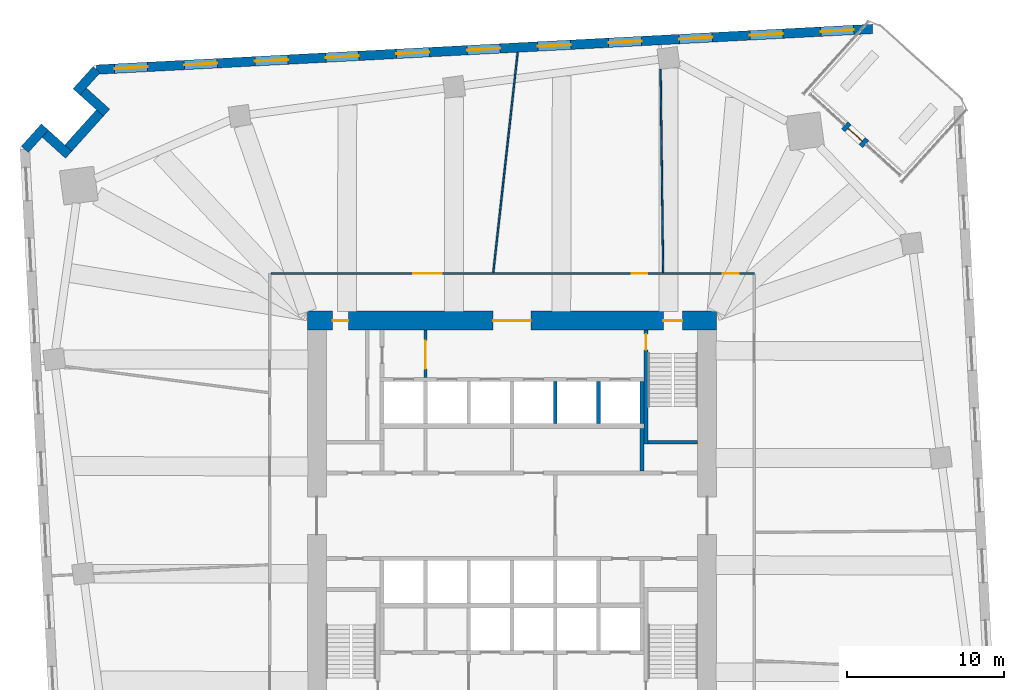
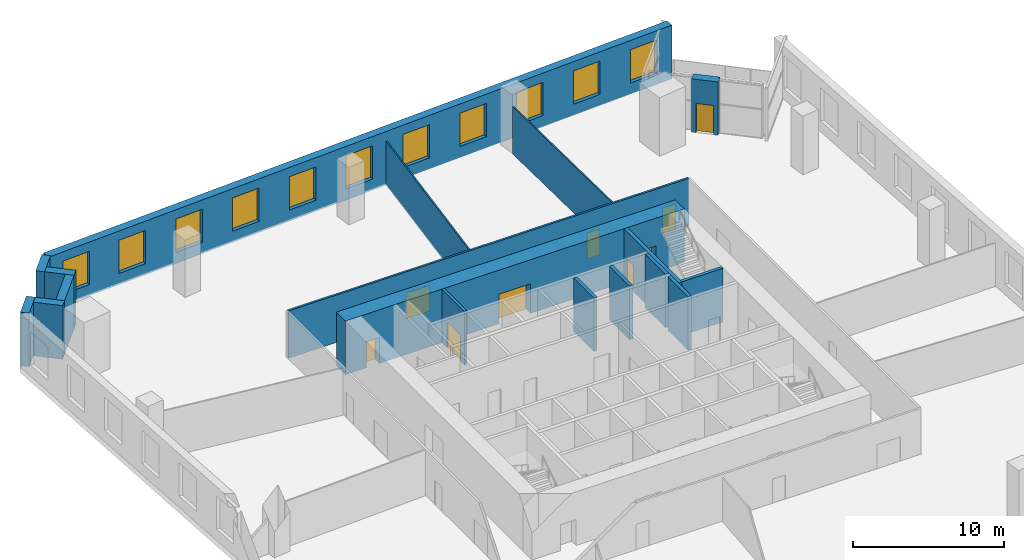
# One storey, part 7 of 10: 18 walls, 11 windows, 9 doors, 20 openings.
"""IFC4 building model written with IfcOpenShell, lengths in metres."""

import ifcopenshell
import ifcopenshell.guid

model = None  # the IFC model being written
_history = None  # IfcOwnerHistory: only IFC2X3 demands one
_inside = {}  # id of a spatial element -> (the spatial element, [elements in it])
_under = {}  # id of a project, library or spatial element -> (it, [spatial elements below it])
_declared = {}  # id of a project -> (the project, [libraries it declares])
_typed = {}  # id of a type object -> (the type object, [elements of that type])
_made_of = {}  # id of a material, layer set ... -> (it, [elements and type objects made of it])


def new_model(schema):
    """Start an empty IFC model of exactly this schema.

    Asked for "IFC4X3", IfcOpenShell would pick the latest addendum, in which some entities
    have other attributes; the version numbers below select the first issue.
    IFC2X3 requires an IfcOwnerHistory on every rooted entity: one is made here for all.
    """
    global model, _history
    if schema == "IFC4X3":
        model = ifcopenshell.file(schema_version=(4, 3, 0, 0))
    else:
        model = ifcopenshell.file(schema=schema)
    _inside.clear()
    _under.clear()
    _declared.clear()
    _typed.clear()
    _made_of.clear()
    _history = None
    if model.schema == "IFC2X3":
        org = make("IfcOrganization", Name="unknown")
        user = make(
            "IfcPersonAndOrganization",
            ThePerson=make("IfcPerson", FamilyName="unknown"),
            TheOrganization=org,
        )
        app = make(
            "IfcApplication",
            ApplicationDeveloper=org,
            Version="unknown",
            ApplicationFullName="unknown",
            ApplicationIdentifier="unknown",
        )
        _history = make(
            "IfcOwnerHistory",
            OwningUser=user,
            OwningApplication=app,
            ChangeAction="ADDED",
            CreationDate=0,
        )
    return model


def make(cls, **values):
    """One entity of the class cls with the attributes given. An attribute that is None is left unset."""
    return model.create_entity(
        cls, **{name: value for name, value in values.items() if value is not None}
    )


def rooted(cls, **values):
    """An entity with a GlobalId (a new one), such as an element, a storey or a relation."""
    return make(cls, GlobalId=ifcopenshell.guid.new(), OwnerHistory=_history, **values)


def si_unit(unit_type, name, prefix=None):
    """IfcSIUnit, for example si_unit("LENGTHUNIT", "METRE", prefix="MILLI")."""
    return make("IfcSIUnit", UnitType=unit_type, Prefix=prefix, Name=name)


def assignment(units):
    """IfcUnitAssignment: the units of a project."""
    return None if units is None else make("IfcUnitAssignment", Units=units)


def point(xyz):
    """IfcCartesianPoint."""
    return None if xyz is None else make("IfcCartesianPoint", Coordinates=xyz)


def direction(xyz):
    """IfcDirection."""
    return None if xyz is None else make("IfcDirection", DirectionRatios=xyz)


def frame(location, z_axis=None, x_axis=None):
    """IfcAxis2Placement3D, a coordinate frame: its origin and axes. An axis left out is left unset."""
    return make(
        "IfcAxis2Placement3D",
        Location=point(location),
        Axis=direction(z_axis),
        RefDirection=direction(x_axis),
    )


def frame_2d(location, x_axis=None):
    """IfcAxis2Placement2D, a coordinate frame in the plane: its origin and x axis."""
    return make(
        "IfcAxis2Placement2D", Location=point(location), RefDirection=direction(x_axis)
    )


def origin():
    """The frame at (0, 0, 0) with its axes left unset."""
    return frame((0.0, 0.0, 0.0))


def place(relative_to, where):
    """IfcLocalPlacement: puts the frame where relative to a parent placement (None: the world)."""
    return make(
        "IfcLocalPlacement", PlacementRelTo=relative_to, RelativePlacement=where
    )


def context(
    kind, dimensions, precision=None, world=None, true_north=None, identifier=None
):
    """IfcGeometricRepresentationContext, for example the 3D "Model" context."""
    return make(
        "IfcGeometricRepresentationContext",
        ContextIdentifier=identifier,
        ContextType=kind,
        CoordinateSpaceDimension=dimensions,
        Precision=precision,
        WorldCoordinateSystem=world,
        TrueNorth=true_north,
    )


def subcontext(parent, identifier, kind, view, scale=None):
    """IfcGeometricRepresentationSubContext, for example "Body" below "Model"."""
    return make(
        "IfcGeometricRepresentationSubContext",
        ContextIdentifier=identifier,
        ContextType=kind,
        ParentContext=parent,
        TargetScale=scale,
        TargetView=view,
    )


def project(units=None, contexts=None):
    """IfcProject with its units and contexts."""
    return rooted(
        "IfcProject",
        Name="project",
        RepresentationContexts=contexts,
        UnitsInContext=assignment(units),
    )


def spatial(cls, under=None, at=None, **own):
    """A site, building, storey or space (cls), placed at a placement, below another one or the project."""
    s = rooted(cls, ObjectPlacement=at, **own)
    if under is not None:
        _under.setdefault(under.id(), (under, []))[1].append(s)
    return s


def profile(cls, at=None, kind="AREA", **sizes):
    """A parametric profile (cls). Its sizes go by their IFC names, for example OverallWidth=200.0."""
    return make(cls, ProfileType=kind, Position=at, **sizes)


def rectangle(**sizes):
    """IfcRectangleProfileDef."""
    return profile("IfcRectangleProfileDef", **sizes)


def extrude(swept, where, along, depth):
    """IfcExtrudedAreaSolid: the profile swept, set in the frame where, extruded along a direction by depth."""
    return make(
        "IfcExtrudedAreaSolid",
        SweptArea=swept,
        Position=where,
        ExtrudedDirection=direction(along),
        Depth=depth,
    )


def shape(context_of_items, identifier, shape_type, items):
    """IfcShapeRepresentation: the items that make up one representation, for example the "Body"."""
    return make(
        "IfcShapeRepresentation",
        ContextOfItems=context_of_items,
        RepresentationIdentifier=identifier,
        RepresentationType=shape_type,
        Items=items,
    )


def material(Name=None, Category=None):
    """IfcMaterial."""
    return make("IfcMaterial", Name=Name, Category=Category)


def layer(
    of_material, thickness, ventilated=None, Name=None, Category=None, Priority=None
):
    """IfcMaterialLayer: one layer of a wall or slab, of a material (None: an air gap)."""
    return make(
        "IfcMaterialLayer",
        Material=of_material,
        LayerThickness=thickness,
        IsVentilated=ventilated,
        Name=Name,
        Category=Category,
        Priority=Priority,
    )


def layer_set(layers, Name=None):
    """IfcMaterialLayerSet."""
    return make("IfcMaterialLayerSet", MaterialLayers=layers, LayerSetName=Name)


def made_of(thing, what):
    """Note that an element or type object is made of a material, layer set ...; save() writes the relation."""
    if what is not None:
        _made_of.setdefault(what.id(), (what, []))[1].append(thing)
    return thing


def type_object(cls, material=None, **own):
    """A type object (cls), such as IfcWallType, which elements share."""
    return made_of(rooted(cls, **own), material)


def element(
    cls,
    number,
    at=None,
    inside=None,
    cuts=None,
    type_object=None,
    material=None,
    context=None,
    identifier="Body",
    shape_type=None,
    held_by="IfcProductDefinitionShape",
    body=None,
    shapes=None,
    **own,
):
    """One element of the class cls, such as IfcWall. Its Tag is "e" and its number.

    at: its placement. inside: the storey or other place that contains it. cuts: it is an
    opening in that element (IfcRelVoidsElement). A single representation is given by context,
    identifier, shape_type and body (its items); several are given by shapes. held_by: the class
    of the entity that holds the representations. save() writes the other relations.
    """
    e = rooted(cls, Tag="e%d" % number, ObjectPlacement=at, **own)
    if body is not None:
        shapes = [shape(context, identifier, shape_type, body)]
    if shapes is not None:
        e.Representation = make(held_by, Representations=shapes)
    if inside is not None:
        _inside.setdefault(inside.id(), (inside, []))[1].append(e)
    if cuts is not None:
        rooted(
            "IfcRelVoidsElement", RelatingBuildingElement=cuts, RelatedOpeningElement=e
        )
    if type_object is not None:
        _typed.setdefault(type_object.id(), (type_object, []))[1].append(e)
    return made_of(e, material)


def fill(opening, filler):
    """IfcRelFillsElement: the door or window that sits in an opening."""
    return rooted(
        "IfcRelFillsElement",
        RelatingOpeningElement=opening,
        RelatedBuildingElement=filler,
    )


def aggregate(whole, parts):
    """IfcRelAggregates: a whole, such as a stair, and the parts it consists of."""
    return rooted("IfcRelAggregates", RelatingObject=whole, RelatedObjects=parts)


def save(model, path):
    """Write the relations noted so far, then the file.

    IfcRelAggregates (storeys below a building ...), IfcRelContainedInSpatialStructure (elements
    in a storey), IfcRelDefinesByType, IfcRelAssociatesMaterial and IfcRelDeclares: one each for
    every whole, place, type object, material and project.
    """
    for whole, parts in _under.values():
        aggregate(whole, parts)
    for where, things in _inside.values():
        rooted(
            "IfcRelContainedInSpatialStructure",
            RelatedElements=things,
            RelatingStructure=where,
        )
    for kind, things in _typed.values():
        rooted("IfcRelDefinesByType", RelatedObjects=things, RelatingType=kind)
    for what, things in _made_of.values():
        rooted("IfcRelAssociatesMaterial", RelatedObjects=things, RelatingMaterial=what)
    for by, libraries in _declared.values():
        rooted("IfcRelDeclares", RelatingContext=by, RelatedDefinitions=libraries)
    model.write(path)


model = new_model("IFC4")

# Units and contexts
model_context = context("Model", 3, precision=1e-05, world=origin(), true_north=direction((0.0, 1.0)))
body_context = subcontext(model_context, "Body", "Model", "MODEL_VIEW")
ifc_project = project(units=[si_unit("LENGTHUNIT", "METRE"), si_unit("AREAUNIT", "SQUARE_METRE"), si_unit("VOLUMEUNIT", "CUBIC_METRE"), si_unit("PLANEANGLEUNIT", "RADIAN"), si_unit("MASSUNIT", "GRAM", prefix="KILO")], contexts=[model_context])

# Site, building, storey
site_placement = place(None, origin())
site = spatial("IfcSite", under=ifc_project, at=site_placement, CompositionType="ELEMENT")
building_placement = place(site_placement, origin())
building = spatial("IfcBuilding", under=site, at=building_placement, Name="Dilmun Exchange Tower", CompositionType="ELEMENT")
storey_placement = place(building_placement, frame((0.0, 0.0, 32.10009765625)))
storey = spatial("IfcBuildingStorey", under=building, at=storey_placement, Name="L07", CompositionType="ELEMENT", Elevation=32.10009765625)

# Wall, opening, door
ifc_material_1 = material(Name="Concrete C40/50", Category="concrete")
ifc_layer_1 = layer(ifc_material_1, 0.199951171875)
ifc_layer_set_1 = layer_set([ifc_layer_1], Name="Concrete C40/50")
wall_type_1 = type_object("IfcWallType", Name="Core partition wall 200", PredefinedType="PARTITIONING", material=ifc_layer_set_1)
wall_1_placement = place(storey_placement, frame((-5.5, 8.804931640625, 0.0), z_axis=(0.0, 0.0, 1.0), x_axis=(0.0, 1.0, 0.0)))
wall_1 = element("IfcWall", 1, at=wall_1_placement, inside=storey, type_object=wall_type_1, Name="L07 core partition wall 19", PredefinedType="PARTITIONING", context=body_context, shape_type="SweptSolid", body=[
    extrude(rectangle(XDim=2.989990234375, YDim=0.199951171875, at=frame_2d((1.4951171875, 0.0))), origin(), (0.0, 0.0, 1.0), 4.349853515625),
])
opening_1_placement = place(wall_1_placement, frame((0.532470703125, 0.0, 0.0)))
opening_1 = element("IfcOpeningElement", 2, at=opening_1_placement, cuts=wall_1, Name="Opening CD5", PredefinedType="OPENING", context=body_context, shape_type="SweptSolid", body=[
    extrude(rectangle(XDim=1.800048828125, YDim=2.10009765625, at=frame_2d((0.89990234375, 1.050048828125))), frame((0.0, 0.10986328125, 0.0), z_axis=(0.0, -1.0, 0.0), x_axis=(1.0, 0.0, 0.0)), (0.0, 0.0, 1.0), 0.219970703125),
])
ifc_material_2 = material(Name="Fire-rated steel door set", Category="steel")
door_type_1 = type_object("IfcDoorType", Name="Stair exit door 1800x2100", OperationType="SINGLE_SWING_LEFT", PredefinedType="DOOR", material=ifc_material_2)
door_1_placement = place(opening_1_placement, origin())
door_1 = element("IfcDoor", 3, at=door_1_placement, inside=storey, type_object=door_type_1, Name="L07 door Lift lobby east", OperationType="SINGLE_SWING_LEFT", OverallHeight=2.10009765625, OverallWidth=1.800048828125, PredefinedType="DOOR", context=body_context, shape_type="SweptSolid", body=[
    extrude(rectangle(XDim=1.800048828125, YDim=2.10009765625, at=frame_2d((0.89990234375, 1.050048828125))), frame((0.0, 0.02490234375, 0.0), z_axis=(0.0, -1.0, 0.0), x_axis=(1.0, 0.0, 0.0)), (0.0, 0.0, 1.0), 0.050048828125),
])
fill(opening_1, door_1)

# Wall
ifc_layer_2 = layer(ifc_material_1, 0.25)
ifc_layer_set_2 = layer_set([ifc_layer_2], Name="Concrete C40/50")
wall_type_2 = type_object("IfcWallType", Name="Core partition wall 250", PredefinedType="PARTITIONING", material=ifc_layer_set_2)
wall_2_placement = place(storey_placement, frame((8.25, 2.85498046875, 0.0), z_axis=(0.0, 0.0, 1.0), x_axis=(0.0, 1.0, 0.0)))
element("IfcWall", 4, at=wall_2_placement, inside=storey, type_object=wall_type_2, Name="L07 core partition wall 14", PredefinedType="PARTITIONING", context=body_context, shape_type="SweptSolid", body=[
    extrude(rectangle(XDim=2.68994140625, YDim=0.25, at=frame_2d((1.344970703125, 0.0))), origin(), (0.0, 0.0, 1.0), 4.349853515625),
])

# Wall, openings, doors
ifc_material_3 = material(Name="Concrete C80/95", Category="concrete")
ifc_layer_3 = layer(ifc_material_3, 1.199951171875)
ifc_layer_set_3 = layer_set([ifc_layer_3], Name="Concrete C80/95")
wall_type_3 = type_object("IfcWallType", Name="Core shear wall 1200 Concrete C80/95", PredefinedType="SHEAR", material=ifc_layer_set_3)
wall_3_placement = place(storey_placement, frame((-13.0, 12.39990234375, 0.0), z_axis=(0.0, 0.0, 1.0), x_axis=(1.0, 0.0, 0.0)))
wall_3 = element("IfcWall", 5, at=wall_3_placement, inside=storey, type_object=wall_type_3, Name="L07 core shear wall N", PredefinedType="SHEAR", context=body_context, shape_type="SweptSolid", body=[
    extrude(rectangle(XDim=26.0, YDim=1.199951171875, at=frame_2d((13.0, 0.0))), origin(), (0.0, 0.0, 1.0), 4.349853515625),
])
opening_2_placement = place(wall_3_placement, frame((11.800048828125, 0.0, 0.0)))
opening_2 = element("IfcOpeningElement", 6, at=opening_2_placement, cuts=wall_3, Name="Opening CD1", PredefinedType="OPENING", context=body_context, shape_type="SweptSolid", body=[
    extrude(rectangle(XDim=2.39990234375, YDim=2.39990234375, at=frame_2d((1.199951171875, 1.199951171875))), frame((0.0, 0.60986328125, 0.0), z_axis=(0.0, -1.0, 0.0), x_axis=(1.0, 0.0, 0.0)), (0.0, 0.0, 1.0), 1.219970703125),
])
opening_3_placement = place(wall_3_placement, frame((22.625, 0.0, 0.0)))
opening_3 = element("IfcOpeningElement", 7, at=opening_3_placement, cuts=wall_3, Name="Opening CD3", PredefinedType="OPENING", context=body_context, shape_type="SweptSolid", body=[
    extrude(rectangle(XDim=1.199951171875, YDim=2.10009765625, at=frame_2d((0.60009765625, 1.050048828125))), frame((0.0, 0.60986328125, 0.0), z_axis=(0.0, -1.0, 0.0), x_axis=(1.0, 0.0, 0.0)), (0.0, 0.0, 1.0), 1.219970703125),
])
opening_4_placement = place(wall_3_placement, frame((1.60009765625, 0.0, 0.0)))
opening_4 = element("IfcOpeningElement", 8, at=opening_4_placement, cuts=wall_3, Name="Opening CD4", PredefinedType="OPENING", context=body_context, shape_type="SweptSolid", body=[
    extrude(rectangle(XDim=1.0, YDim=2.10009765625, at=frame_2d((0.5, 1.050048828125))), frame((0.0, 0.60986328125, 0.0), z_axis=(0.0, -1.0, 0.0), x_axis=(1.0, 0.0, 0.0)), (0.0, 0.0, 1.0), 1.219970703125),
])
door_type_2 = type_object("IfcDoorType", Name="Core lobby door 2400x2400", OperationType="DOUBLE_DOOR_DOUBLE_SWING", PredefinedType="DOOR", material=ifc_material_2)
door_2_placement = place(opening_2_placement, origin())
door_2 = element("IfcDoor", 9, at=door_2_placement, inside=storey, type_object=door_type_2, Name="L07 door North lift lobby", OperationType="SINGLE_SWING_LEFT", OverallHeight=2.39990234375, OverallWidth=2.39990234375, PredefinedType="DOOR", context=body_context, shape_type="SweptSolid", body=[
    extrude(rectangle(XDim=2.39990234375, YDim=2.39990234375, at=frame_2d((1.199951171875, 1.199951171875))), frame((0.0, 0.02490234375, 0.0), z_axis=(0.0, -1.0, 0.0), x_axis=(1.0, 0.0, 0.0)), (0.0, 0.0, 1.0), 0.050048828125),
])
fill(opening_2, door_2)
door_type_3 = type_object("IfcDoorType", Name="Core room door 1000x2100", OperationType="SINGLE_SWING_LEFT", PredefinedType="DOOR", material=ifc_material_2)
door_3_placement = place(opening_4_placement, origin())
door_3 = element("IfcDoor", 10, at=door_3_placement, inside=storey, type_object=door_type_3, Name="L07 door North-west core rooms", OperationType="SINGLE_SWING_LEFT", OverallHeight=2.10009765625, OverallWidth=1.0, PredefinedType="DOOR", context=body_context, shape_type="SweptSolid", body=[
    extrude(rectangle(XDim=1.0, YDim=2.10009765625, at=frame_2d((0.5, 1.050048828125))), frame((0.0, 0.02490234375, 0.0), z_axis=(0.0, -1.0, 0.0), x_axis=(1.0, 0.0, 0.0)), (0.0, 0.0, 1.0), 0.050048828125),
])
fill(opening_4, door_3)
door_type_4 = type_object("IfcDoorType", Name="Stair exit door 1200x2100", OperationType="SINGLE_SWING_LEFT", PredefinedType="DOOR", material=ifc_material_2)
door_4_placement = place(opening_3_placement, origin())
door_4 = element("IfcDoor", 11, at=door_4_placement, inside=storey, type_object=door_type_4, Name="L07 door Stair ST1", OperationType="SINGLE_SWING_LEFT", OverallHeight=2.10009765625, OverallWidth=1.199951171875, PredefinedType="DOOR", context=body_context, shape_type="SweptSolid", body=[
    extrude(rectangle(XDim=1.199951171875, YDim=2.10009765625, at=frame_2d((0.60009765625, 1.050048828125))), frame((0.0, 0.02490234375, 0.0), z_axis=(0.0, -1.0, 0.0), x_axis=(1.0, 0.0, 0.0)), (0.0, 0.0, 1.0), 0.050048828125),
])
fill(opening_3, door_4)

ifc_material_4 = material(Name="Corridor wall 150")
ifc_layer_4 = layer(ifc_material_4, 0.14990234375)
ifc_layer_set_4 = layer_set([ifc_layer_4], Name="Corridor wall 150")
wall_type_4 = type_object("IfcWallType", Name="Corridor wall 150", PredefinedType="PARTITIONING", material=ifc_layer_set_4)
wall_4_placement = place(storey_placement, frame((-15.324951171875, 15.39990234375, 0.0), z_axis=(0.0, 0.0, 1.0), x_axis=(1.0, 0.0, 0.0)))
wall_4 = element("IfcWall", 12, at=wall_4_placement, inside=storey, type_object=wall_type_4, Name="Corridor wall", PredefinedType="PARTITIONING", context=body_context, shape_type="SweptSolid", body=[
    extrude(rectangle(XDim=30.724853515625, YDim=0.14990234375, at=frame_2d((15.3623046875, 0.0))), origin(), (0.0, 0.0, 1.0), 3.849853515625),
])
opening_5_placement = place(wall_4_placement, frame((9.050048828125, 0.0, 0.0)))
opening_5 = element("IfcOpeningElement", 13, at=opening_5_placement, cuts=wall_4, Name="Opening TF05-D05", PredefinedType="OPENING", context=body_context, shape_type="SweptSolid", body=[
    extrude(rectangle(XDim=1.800048828125, YDim=2.10009765625, at=frame_2d((0.89990234375, 1.050048828125))), frame((0.0, 0.0849609375, 0.0), z_axis=(0.0, -1.0, 0.0), x_axis=(1.0, 0.0, 0.0)), (0.0, 0.0, 1.0), 0.169921875),
])
opening_6_placement = place(wall_4_placement, frame((22.92919921875, 0.0, 0.0)))
opening_6 = element("IfcOpeningElement", 14, at=opening_6_placement, cuts=wall_4, Name="Opening TF05-D08", PredefinedType="OPENING", context=body_context, shape_type="SweptSolid", body=[
    extrude(rectangle(XDim=1.0, YDim=2.10009765625, at=frame_2d((0.5, 1.050048828125))), frame((0.0, 0.0849609375, 0.0), z_axis=(0.0, -1.0, 0.0), x_axis=(1.0, 0.0, 0.0)), (0.0, 0.0, 1.0), 0.169921875),
])
opening_7_placement = place(wall_4_placement, frame((28.7294921875, 0.0, 0.0)))
opening_7 = element("IfcOpeningElement", 15, at=opening_7_placement, cuts=wall_4, Name="Opening TF05-D12", PredefinedType="OPENING", context=body_context, shape_type="SweptSolid", body=[
    extrude(rectangle(XDim=1.0, YDim=2.10009765625, at=frame_2d((0.5, 1.050048828125))), frame((0.0, 0.0849609375, 0.0), z_axis=(0.0, -1.0, 0.0), x_axis=(1.0, 0.0, 0.0)), (0.0, 0.0, 1.0), 0.169921875),
])
ifc_material_5 = material(Name="Fire door 1000 x 2100")
door_type_5 = type_object("IfcDoorType", Name="Fire door 1000 x 2100", OperationType="NOTDEFINED", PredefinedType="DOOR", material=ifc_material_5)
door_5_placement = place(opening_6_placement, origin())
door_5 = element("IfcDoor", 16, at=door_5_placement, inside=storey, type_object=door_type_5, Name="Door TF05-D08", OperationType="SINGLE_SWING_RIGHT", OverallHeight=2.10009765625, OverallWidth=1.0, PredefinedType="DOOR", context=body_context, shape_type="SweptSolid", body=[
    extrude(rectangle(XDim=1.0, YDim=2.10009765625, at=frame_2d((0.5, 1.050048828125))), frame((0.0, 0.02490234375, 0.0), z_axis=(0.0, -1.0, 0.0), x_axis=(1.0, 0.0, 0.0)), (0.0, 0.0, 1.0), 0.050048828125),
])
fill(opening_6, door_5)
door_6_placement = place(opening_7_placement, origin())
door_6 = element("IfcDoor", 17, at=door_6_placement, inside=storey, type_object=door_type_5, Name="Door TF05-D12", OperationType="SINGLE_SWING_RIGHT", OverallHeight=2.10009765625, OverallWidth=1.0, PredefinedType="DOOR", context=body_context, shape_type="SweptSolid", body=[
    extrude(rectangle(XDim=1.0, YDim=2.10009765625, at=frame_2d((0.5, 1.050048828125))), frame((0.0, 0.02490234375, 0.0), z_axis=(0.0, -1.0, 0.0), x_axis=(1.0, 0.0, 0.0)), (0.0, 0.0, 1.0), 0.050048828125),
])
fill(opening_7, door_6)
ifc_material_6 = material(Name="Fire door pair 1800 x 2100")
door_type_6 = type_object("IfcDoorType", Name="Fire door pair 1800 x 2100", OperationType="NOTDEFINED", PredefinedType="DOOR", material=ifc_material_6)
door_7_placement = place(opening_5_placement, origin())
door_7 = element("IfcDoor", 18, at=door_7_placement, inside=storey, type_object=door_type_6, Name="Door TF05-D05", OperationType="DOUBLE_DOOR_SINGLE_SWING", OverallHeight=2.10009765625, OverallWidth=1.800048828125, PredefinedType="DOOR", context=body_context, shape_type="SweptSolid", body=[
    extrude(rectangle(XDim=1.800048828125, YDim=2.10009765625, at=frame_2d((0.89990234375, 1.050048828125))), frame((0.0, 0.02490234375, 0.0), z_axis=(0.0, -1.0, 0.0), x_axis=(1.0, 0.0, 0.0)), (0.0, 0.0, 1.0), 0.050048828125),
])
fill(opening_5, door_7)

# Walls
ifc_layer_5 = layer(ifc_material_1, 0.25)
ifc_layer_set_5 = layer_set([ifc_layer_5], Name="Concrete C40/50")
wall_type_5 = type_object("IfcWallType", Name="Lift shaft wall 250", PredefinedType="SOLIDWALL", material=ifc_layer_set_5)
for number, where, z_axis, x_axis, name in (
    (19, (2.75, 5.85009765625, 0.0), (0.0, 0.0, 1.0), (0.0, 1.0, 0.0), "L07 lift shaft divider N24"),
    (20, (5.5, 5.85009765625, 0.0), (0.0, 0.0, 1.0), (0.0, 1.0, 0.0), "L07 lift shaft divider N25"),
    (21, (8.25, 5.85009765625, 0.0), (0.0, 0.0, 1.0), (0.0, 1.0, 0.0), "L07 lift shaft divider N26"),
):
    element("IfcWall", number, at=place(storey_placement, frame(where, z_axis=z_axis, x_axis=x_axis)), inside=storey, type_object=wall_type_5, Name=name, PredefinedType="SOLIDWALL", context=body_context, shape_type="SweptSolid", body=[
        extrude(rectangle(XDim=2.699951171875, YDim=0.25, at=frame_2d((1.35009765625, 0.0))), origin(), (0.0, 0.0, 1.0), 4.349853515625),
    ])
ifc_material_7 = material(Name="Partition 100")
ifc_layer_6 = layer(ifc_material_7, 0.10009765625)
ifc_layer_set_6 = layer_set([ifc_layer_6], Name="Partition 100")
wall_type_6 = type_object("IfcWallType", Name="Partition 100", PredefinedType="PARTITIONING", material=ifc_layer_set_6)
wall_5_placement = place(storey_placement, frame((-1.18701171875, 15.48046875, 0.0), z_axis=(0.0, 0.0, 1.0), x_axis=(0.110071375312, 0.993923685369, 0.0)))
element("IfcWall", 22, at=wall_5_placement, inside=storey, type_object=wall_type_6, Name="Partition", PredefinedType="PARTITIONING", context=body_context, shape_type="SweptSolid", body=[
    extrude(rectangle(XDim=14.062255859375, YDim=0.10009765625, at=frame_2d((7.03125, 0.0))), origin(), (0.0, 0.0, 1.0), 3.5498046875),
])
wall_6_placement = place(storey_placement, frame((9.442138671875, 28.369140625, 0.0), z_axis=(0.0, 0.0, 1.0), x_axis=(0.01255297586, -0.999921208294, 0.0)))
element("IfcWall", 23, at=wall_6_placement, inside=storey, type_object=wall_type_6, Name="Partition", PredefinedType="PARTITIONING", context=body_context, shape_type="SweptSolid", body=[
    extrude(rectangle(XDim=12.89453125, YDim=0.10009765625, at=frame_2d((6.447265625, 0.0))), origin(), (0.0, 0.0, 1.0), 3.849853515625),
])

# Wall, openings, windows
ifc_material_8 = material(Name="Precast concrete C50/60", Category="concrete")
ifc_layer_7 = layer(ifc_material_8, 0.60009765625)
ifc_layer_set_7 = layer_set([ifc_layer_7], Name="Precast concrete C50/60")
wall_type_7 = type_object("IfcWallType", Name="Precast stone-clad wall 600", PredefinedType="STANDARD", material=ifc_layer_set_7)
wall_7_placement = place(storey_placement, frame((22.912109375, 30.94140625, 0.0), z_axis=(0.0, 0.0, 1.0), x_axis=(-0.998629687104, -0.052333049168, 0.0)))
wall_7 = element("IfcWall", 24, at=wall_7_placement, inside=storey, type_object=wall_type_7, Name="Facade wall L07-03", PredefinedType="STANDARD", context=body_context, shape_type="SweptSolid", body=[
    extrude(rectangle(XDim=49.375732421875, YDim=0.60009765625, at=frame_2d((24.68798828125, 0.0))), origin(), (0.0, 0.0, 1.0), 4.349853515625),
])
opening_8_placement = place(wall_7_placement, frame((1.199951171875, 0.0, 0.89990234375)))
opening_8 = element("IfcOpeningElement", 25, at=opening_8_placement, cuts=wall_7, Name="Opening W210-270", PredefinedType="OPENING", context=body_context, shape_type="SweptSolid", body=[
    extrude(rectangle(XDim=2.10009765625, YDim=2.699951171875, at=frame_2d((1.050048828125, 1.35009765625))), frame((0.0, 0.31005859375, 0.0), z_axis=(0.0, -1.0, 0.0), x_axis=(1.0, 0.0, 0.0)), (0.0, 0.0, 1.0), 0.6201171875),
])
opening_9_placement = place(wall_7_placement, frame((5.699951171875, 0.0, 0.89990234375)))
opening_9 = element("IfcOpeningElement", 26, at=opening_9_placement, cuts=wall_7, Name="Opening W210-270", PredefinedType="OPENING", context=body_context, shape_type="SweptSolid", body=[
    extrude(rectangle(XDim=2.10009765625, YDim=2.699951171875, at=frame_2d((1.050048828125, 1.35009765625))), frame((0.0, 0.31005859375, 0.0), z_axis=(0.0, -1.0, 0.0), x_axis=(1.0, 0.0, 0.0)), (0.0, 0.0, 1.0), 0.6201171875),
])
opening_10_placement = place(wall_7_placement, frame((10.199951171875, 0.0, 0.89990234375)))
opening_10 = element("IfcOpeningElement", 27, at=opening_10_placement, cuts=wall_7, Name="Opening W210-270", PredefinedType="OPENING", context=body_context, shape_type="SweptSolid", body=[
    extrude(rectangle(XDim=2.10009765625, YDim=2.699951171875, at=frame_2d((1.050048828125, 1.35009765625))), frame((0.0, 0.31005859375, 0.0), z_axis=(0.0, -1.0, 0.0), x_axis=(1.0, 0.0, 0.0)), (0.0, 0.0, 1.0), 0.6201171875),
])
opening_11_placement = place(wall_7_placement, frame((14.699951171875, 0.0, 0.89990234375)))
opening_11 = element("IfcOpeningElement", 28, at=opening_11_placement, cuts=wall_7, Name="Opening W210-270", PredefinedType="OPENING", context=body_context, shape_type="SweptSolid", body=[
    extrude(rectangle(XDim=2.10009765625, YDim=2.699951171875, at=frame_2d((1.050048828125, 1.35009765625))), frame((0.0, 0.31005859375, 0.0), z_axis=(0.0, -1.0, 0.0), x_axis=(1.0, 0.0, 0.0)), (0.0, 0.0, 1.0), 0.6201171875),
])
opening_12_placement = place(wall_7_placement, frame((19.199951171875, 0.0, 0.89990234375)))
opening_12 = element("IfcOpeningElement", 29, at=opening_12_placement, cuts=wall_7, Name="Opening W210-270", PredefinedType="OPENING", context=body_context, shape_type="SweptSolid", body=[
    extrude(rectangle(XDim=2.10009765625, YDim=2.699951171875, at=frame_2d((1.050048828125, 1.35009765625))), frame((0.0, 0.31005859375, 0.0), z_axis=(0.0, -1.0, 0.0), x_axis=(1.0, 0.0, 0.0)), (0.0, 0.0, 1.0), 0.6201171875),
])
opening_13_placement = place(wall_7_placement, frame((23.699951171875, 0.0, 0.89990234375)))
opening_13 = element("IfcOpeningElement", 30, at=opening_13_placement, cuts=wall_7, Name="Opening W210-270", PredefinedType="OPENING", context=body_context, shape_type="SweptSolid", body=[
    extrude(rectangle(XDim=2.10009765625, YDim=2.699951171875, at=frame_2d((1.050048828125, 1.35009765625))), frame((0.0, 0.31005859375, 0.0), z_axis=(0.0, -1.0, 0.0), x_axis=(1.0, 0.0, 0.0)), (0.0, 0.0, 1.0), 0.6201171875),
])
opening_14_placement = place(wall_7_placement, frame((28.199951171875, 0.0, 0.89990234375)))
opening_14 = element("IfcOpeningElement", 31, at=opening_14_placement, cuts=wall_7, Name="Opening W210-270", PredefinedType="OPENING", context=body_context, shape_type="SweptSolid", body=[
    extrude(rectangle(XDim=2.10009765625, YDim=2.699951171875, at=frame_2d((1.050048828125, 1.35009765625))), frame((0.0, 0.31005859375, 0.0), z_axis=(0.0, -1.0, 0.0), x_axis=(1.0, 0.0, 0.0)), (0.0, 0.0, 1.0), 0.6201171875),
])
opening_15_placement = place(wall_7_placement, frame((32.699951171875, 0.0, 0.89990234375)))
opening_15 = element("IfcOpeningElement", 32, at=opening_15_placement, cuts=wall_7, Name="Opening W210-270", PredefinedType="OPENING", context=body_context, shape_type="SweptSolid", body=[
    extrude(rectangle(XDim=2.10009765625, YDim=2.699951171875, at=frame_2d((1.050048828125, 1.35009765625))), frame((0.0, 0.31005859375, 0.0), z_axis=(0.0, -1.0, 0.0), x_axis=(1.0, 0.0, 0.0)), (0.0, 0.0, 1.0), 0.6201171875),
])
opening_16_placement = place(wall_7_placement, frame((37.199951171875, 0.0, 0.89990234375)))
opening_16 = element("IfcOpeningElement", 33, at=opening_16_placement, cuts=wall_7, Name="Opening W210-270", PredefinedType="OPENING", context=body_context, shape_type="SweptSolid", body=[
    extrude(rectangle(XDim=2.10009765625, YDim=2.699951171875, at=frame_2d((1.050048828125, 1.35009765625))), frame((0.0, 0.31005859375, 0.0), z_axis=(0.0, -1.0, 0.0), x_axis=(1.0, 0.0, 0.0)), (0.0, 0.0, 1.0), 0.6201171875),
])
opening_17_placement = place(wall_7_placement, frame((41.699951171875, 0.0, 0.89990234375)))
opening_17 = element("IfcOpeningElement", 34, at=opening_17_placement, cuts=wall_7, Name="Opening W210-270", PredefinedType="OPENING", context=body_context, shape_type="SweptSolid", body=[
    extrude(rectangle(XDim=2.10009765625, YDim=2.699951171875, at=frame_2d((1.050048828125, 1.35009765625))), frame((0.0, 0.31005859375, 0.0), z_axis=(0.0, -1.0, 0.0), x_axis=(1.0, 0.0, 0.0)), (0.0, 0.0, 1.0), 0.6201171875),
])
opening_18_placement = place(wall_7_placement, frame((46.137939453125, 0.0, 0.89990234375)))
opening_18 = element("IfcOpeningElement", 35, at=opening_18_placement, cuts=wall_7, Name="Opening W210-270", PredefinedType="OPENING", context=body_context, shape_type="SweptSolid", body=[
    extrude(rectangle(XDim=2.10009765625, YDim=2.699951171875, at=frame_2d((1.050048828125, 1.35009765625))), frame((0.0, 0.31005859375, 0.0), z_axis=(0.0, -1.0, 0.0), x_axis=(1.0, 0.0, 0.0)), (0.0, 0.0, 1.0), 0.6201171875),
])
ifc_material_9 = material(Name="Clear low-emissivity glass in aluminium frame", Category="aluminium")
window_type = type_object("IfcWindowType", Name="Punched window 2100 x 2700", PartitioningType="DOUBLE_PANEL_VERTICAL", PredefinedType="WINDOW", material=ifc_material_9)
window_1_placement = place(opening_8_placement, origin())
window_1 = element("IfcWindow", 36, at=window_1_placement, inside=storey, type_object=window_type, Name="Window 4.1", OverallHeight=2.699951171875, OverallWidth=2.10009765625, PartitioningType="SINGLE_PANEL", PredefinedType="WINDOW", context=body_context, shape_type="SweptSolid", body=[
    extrude(rectangle(XDim=2.10009765625, YDim=2.699951171875, at=frame_2d((1.050048828125, 1.35009765625))), frame((0.0, 0.030029296875, 0.0), z_axis=(0.0, -1.0, 0.0), x_axis=(1.0, 0.0, 0.0)), (0.0, 0.0, 1.0), 0.06005859375),
])
fill(opening_8, window_1)
window_2_placement = place(opening_9_placement, origin())
window_2 = element("IfcWindow", 37, at=window_2_placement, inside=storey, type_object=window_type, Name="Window 4.2", OverallHeight=2.699951171875, OverallWidth=2.10009765625, PartitioningType="SINGLE_PANEL", PredefinedType="WINDOW", context=body_context, shape_type="SweptSolid", body=[
    extrude(rectangle(XDim=2.10009765625, YDim=2.699951171875, at=frame_2d((1.050048828125, 1.35009765625))), frame((0.0, 0.030029296875, 0.0), z_axis=(0.0, -1.0, 0.0), x_axis=(1.0, 0.0, 0.0)), (0.0, 0.0, 1.0), 0.06005859375),
])
fill(opening_9, window_2)
window_3_placement = place(opening_10_placement, origin())
window_3 = element("IfcWindow", 38, at=window_3_placement, inside=storey, type_object=window_type, Name="Window 4.3", OverallHeight=2.699951171875, OverallWidth=2.10009765625, PartitioningType="SINGLE_PANEL", PredefinedType="WINDOW", context=body_context, shape_type="SweptSolid", body=[
    extrude(rectangle(XDim=2.10009765625, YDim=2.699951171875, at=frame_2d((1.050048828125, 1.35009765625))), frame((0.0, 0.030029296875, 0.0), z_axis=(0.0, -1.0, 0.0), x_axis=(1.0, 0.0, 0.0)), (0.0, 0.0, 1.0), 0.06005859375),
])
fill(opening_10, window_3)
window_4_placement = place(opening_11_placement, origin())
window_4 = element("IfcWindow", 39, at=window_4_placement, inside=storey, type_object=window_type, Name="Window 4.4", OverallHeight=2.699951171875, OverallWidth=2.10009765625, PartitioningType="SINGLE_PANEL", PredefinedType="WINDOW", context=body_context, shape_type="SweptSolid", body=[
    extrude(rectangle(XDim=2.10009765625, YDim=2.699951171875, at=frame_2d((1.050048828125, 1.35009765625))), frame((0.0, 0.030029296875, 0.0), z_axis=(0.0, -1.0, 0.0), x_axis=(1.0, 0.0, 0.0)), (0.0, 0.0, 1.0), 0.06005859375),
])
fill(opening_11, window_4)
window_5_placement = place(opening_12_placement, origin())
window_5 = element("IfcWindow", 40, at=window_5_placement, inside=storey, type_object=window_type, Name="Window 4.5", OverallHeight=2.699951171875, OverallWidth=2.10009765625, PartitioningType="SINGLE_PANEL", PredefinedType="WINDOW", context=body_context, shape_type="SweptSolid", body=[
    extrude(rectangle(XDim=2.10009765625, YDim=2.699951171875, at=frame_2d((1.050048828125, 1.35009765625))), frame((0.0, 0.030029296875, 0.0), z_axis=(0.0, -1.0, 0.0), x_axis=(1.0, 0.0, 0.0)), (0.0, 0.0, 1.0), 0.06005859375),
])
fill(opening_12, window_5)
window_6_placement = place(opening_13_placement, origin())
window_6 = element("IfcWindow", 41, at=window_6_placement, inside=storey, type_object=window_type, Name="Window 4.6", OverallHeight=2.699951171875, OverallWidth=2.10009765625, PartitioningType="SINGLE_PANEL", PredefinedType="WINDOW", context=body_context, shape_type="SweptSolid", body=[
    extrude(rectangle(XDim=2.10009765625, YDim=2.699951171875, at=frame_2d((1.050048828125, 1.35009765625))), frame((0.0, 0.030029296875, 0.0), z_axis=(0.0, -1.0, 0.0), x_axis=(1.0, 0.0, 0.0)), (0.0, 0.0, 1.0), 0.06005859375),
])
fill(opening_13, window_6)
window_7_placement = place(opening_14_placement, origin())
window_7 = element("IfcWindow", 42, at=window_7_placement, inside=storey, type_object=window_type, Name="Window 4.7", OverallHeight=2.699951171875, OverallWidth=2.10009765625, PartitioningType="SINGLE_PANEL", PredefinedType="WINDOW", context=body_context, shape_type="SweptSolid", body=[
    extrude(rectangle(XDim=2.10009765625, YDim=2.699951171875, at=frame_2d((1.050048828125, 1.35009765625))), frame((0.0, 0.030029296875, 0.0), z_axis=(0.0, -1.0, 0.0), x_axis=(1.0, 0.0, 0.0)), (0.0, 0.0, 1.0), 0.06005859375),
])
fill(opening_14, window_7)
window_8_placement = place(opening_15_placement, origin())
window_8 = element("IfcWindow", 43, at=window_8_placement, inside=storey, type_object=window_type, Name="Window 4.8", OverallHeight=2.699951171875, OverallWidth=2.10009765625, PartitioningType="SINGLE_PANEL", PredefinedType="WINDOW", context=body_context, shape_type="SweptSolid", body=[
    extrude(rectangle(XDim=2.10009765625, YDim=2.699951171875, at=frame_2d((1.050048828125, 1.35009765625))), frame((0.0, 0.030029296875, 0.0), z_axis=(0.0, -1.0, 0.0), x_axis=(1.0, 0.0, 0.0)), (0.0, 0.0, 1.0), 0.06005859375),
])
fill(opening_15, window_8)
window_9_placement = place(opening_16_placement, origin())
window_9 = element("IfcWindow", 44, at=window_9_placement, inside=storey, type_object=window_type, Name="Window 4.9", OverallHeight=2.699951171875, OverallWidth=2.10009765625, PartitioningType="SINGLE_PANEL", PredefinedType="WINDOW", context=body_context, shape_type="SweptSolid", body=[
    extrude(rectangle(XDim=2.10009765625, YDim=2.699951171875, at=frame_2d((1.050048828125, 1.35009765625))), frame((0.0, 0.030029296875, 0.0), z_axis=(0.0, -1.0, 0.0), x_axis=(1.0, 0.0, 0.0)), (0.0, 0.0, 1.0), 0.06005859375),
])
fill(opening_16, window_9)
window_10_placement = place(opening_17_placement, origin())
window_10 = element("IfcWindow", 45, at=window_10_placement, inside=storey, type_object=window_type, Name="Window 4.10", OverallHeight=2.699951171875, OverallWidth=2.10009765625, PartitioningType="SINGLE_PANEL", PredefinedType="WINDOW", context=body_context, shape_type="SweptSolid", body=[
    extrude(rectangle(XDim=2.10009765625, YDim=2.699951171875, at=frame_2d((1.050048828125, 1.35009765625))), frame((0.0, 0.030029296875, 0.0), z_axis=(0.0, -1.0, 0.0), x_axis=(1.0, 0.0, 0.0)), (0.0, 0.0, 1.0), 0.06005859375),
])
fill(opening_17, window_10)
window_11_placement = place(opening_18_placement, origin())
window_11 = element("IfcWindow", 46, at=window_11_placement, inside=storey, type_object=window_type, Name="Window 4.11", OverallHeight=2.699951171875, OverallWidth=2.10009765625, PartitioningType="SINGLE_PANEL", PredefinedType="WINDOW", context=body_context, shape_type="SweptSolid", body=[
    extrude(rectangle(XDim=2.10009765625, YDim=2.699951171875, at=frame_2d((1.050048828125, 1.35009765625))), frame((0.0, 0.030029296875, 0.0), z_axis=(0.0, -1.0, 0.0), x_axis=(1.0, 0.0, 0.0)), (0.0, 0.0, 1.0), 0.06005859375),
])
fill(opening_18, window_11)

# Walls
wall_8_placement = place(storey_placement, frame((-26.39599609375, 28.357421875, 0.0), z_axis=(0.0, 0.0, 1.0), x_axis=(-0.669091754139, -0.743179806334, 0.0)))
element("IfcWall", 47, at=wall_8_placement, inside=storey, type_object=wall_type_7, Name="Facade wall L07-04", PredefinedType="STANDARD", context=body_context, shape_type="SweptSolid", body=[
    extrude(rectangle(XDim=1.911376953125, YDim=0.60009765625, at=frame_2d((0.95556640625, 0.0))), origin(), (0.0, 0.0, 1.0), 4.349853515625),
])
wall_9_placement = place(storey_placement, frame((-27.251220703125, 26.959228515625, 0.0), z_axis=(0.0, 0.0, 1.0), x_axis=(0.743184876971, -0.669086121991, 0.0)))
element("IfcWall", 48, at=wall_9_placement, inside=storey, type_object=wall_type_7, Name="Facade wall L07-05", PredefinedType="STANDARD", context=body_context, shape_type="SweptSolid", body=[
    extrude(rectangle(XDim=2.0, YDim=0.60009765625, at=frame_2d((1.0, 0.0))), origin(), (0.0, 0.0, 1.0), 4.349853515625),
])
wall_10_placement = place(storey_placement, frame((-26.188720703125, 25.598876953125, 0.0), z_axis=(0.0, 0.0, 1.0), x_axis=(-0.669108595814, -0.743164643271, 0.0)))
element("IfcWall", 49, at=wall_10_placement, inside=storey, type_object=wall_type_7, Name="Facade wall L07-06", PredefinedType="STANDARD", context=body_context, shape_type="SweptSolid", body=[
    extrude(rectangle(XDim=3.0, YDim=0.60009765625, at=frame_2d((1.5, 0.0))), origin(), (0.0, 0.0, 1.0), 4.349853515625),
])
wall_11_placement = place(storey_placement, frame((-28.173828125, 22.94580078125, 0.0), z_axis=(0.0, 0.0, 1.0), x_axis=(-0.743184876971, 0.669086121991, 0.0)))
element("IfcWall", 50, at=wall_11_placement, inside=storey, type_object=wall_type_7, Name="Facade wall L07-07", PredefinedType="STANDARD", context=body_context, shape_type="SweptSolid", body=[
    extrude(rectangle(XDim=2.0, YDim=0.60009765625, at=frame_2d((1.0, 0.0))), origin(), (0.0, 0.0, 1.0), 4.349853515625),
])
wall_12_placement = place(storey_placement, frame((-29.682373046875, 24.70751953125, 0.0), z_axis=(0.0, 0.0, 1.0), x_axis=(-0.669155276156, -0.743122611951, 0.0)))
element("IfcWall", 51, at=wall_12_placement, inside=storey, type_object=wall_type_7, Name="Facade wall L07-08", PredefinedType="STANDARD", context=body_context, shape_type="SweptSolid", body=[
    extrude(rectangle(XDim=1.9111328125, YDim=0.60009765625, at=frame_2d((0.95556640625, 0.0))), origin(), (0.0, 0.0, 1.0), 4.349853515625),
])

# Wall, opening, door
wall_13_placement = place(storey_placement, frame((22.476318359375, 23.617431640625, 0.0), z_axis=(0.0, 0.0, 1.0), x_axis=(-0.743098542319, 0.669182005439, 0.0)))
wall_13 = element("IfcWall", 52, at=wall_13_placement, inside=storey, type_object=wall_type_7, Name="Facade wall L07-01-D", PredefinedType="STANDARD", context=body_context, shape_type="SweptSolid", body=[
    extrude(rectangle(XDim=1.800048828125, YDim=0.60009765625, at=frame_2d((0.89990234375, 0.0))), origin(), (0.0, 0.0, 1.0), 4.349853515625),
])
opening_19_placement = place(wall_13_placement, frame((0.300048828125, 0.0, 0.0)))
opening_19 = element("IfcOpeningElement", 53, at=opening_19_placement, cuts=wall_13, Name="Opening GD-1", PredefinedType="OPENING", context=body_context, shape_type="SweptSolid", body=[
    extrude(rectangle(XDim=1.199951171875, YDim=2.39990234375, at=frame_2d((0.60009765625, 1.199951171875))), frame((0.0, 0.31005859375, 0.0), z_axis=(0.0, -1.0, 0.0), x_axis=(1.0, 0.0, 0.0)), (0.0, 0.0, 1.0), 0.6201171875),
])
door_type_7 = type_object("IfcDoorType", Name="Glazed garden door 1200 x 2400", OperationType="SINGLE_SWING_LEFT", PredefinedType="DOOR", material=ifc_material_9)
door_8_placement = place(opening_19_placement, origin())
door_8 = element("IfcDoor", 54, at=door_8_placement, inside=storey, type_object=door_type_7, Name="Garden terrace door", OperationType="SINGLE_SWING_LEFT", OverallHeight=2.39990234375, OverallWidth=1.199951171875, PredefinedType="DOOR", context=body_context, shape_type="SweptSolid", body=[
    extrude(rectangle(XDim=1.199951171875, YDim=2.39990234375, at=frame_2d((0.60009765625, 1.199951171875))), frame((0.0, 0.02490234375, 0.0), z_axis=(0.0, -1.0, 0.0), x_axis=(1.0, 0.0, 0.0)), (0.0, 0.0, 1.0), 0.050048828125),
])
fill(opening_19, door_8)

# Wall
ifc_layer_8 = layer(ifc_material_1, 0.25)
ifc_layer_set_8 = layer_set([ifc_layer_8], Name="Concrete C40/50")
wall_type_8 = type_object("IfcWallType", Name="Stair end wall 250", PredefinedType="SOLIDWALL", material=ifc_layer_set_8)
wall_14_placement = place(storey_placement, frame((8.64990234375, 4.675048828125, 0.0), z_axis=(0.0, 0.0, 1.0), x_axis=(1.0, 0.0, 0.0)))
element("IfcWall", 55, at=wall_14_placement, inside=storey, type_object=wall_type_8, Name="L07 ST1 far wall", PredefinedType="SOLIDWALL", context=body_context, shape_type="SweptSolid", body=[
    extrude(rectangle(XDim=3.150146484375, YDim=0.25, at=frame_2d((1.5751953125, 0.0))), origin(), (0.0, 0.0, 1.0), 4.349853515625),
])

# Wall, opening, door
ifc_layer_9 = layer(ifc_material_1, 0.27490234375)
ifc_layer_set_9 = layer_set([ifc_layer_9], Name="Concrete C40/50")
wall_type_9 = type_object("IfcWallType", Name="Stair wall 275", PredefinedType="SOLIDWALL", material=ifc_layer_set_9)
wall_15_placement = place(storey_placement, frame((8.512451171875, 4.550048828125, 0.0), z_axis=(0.0, 0.0, 1.0), x_axis=(0.0, 1.0, 0.0)))
wall_15 = element("IfcWall", 56, at=wall_15_placement, inside=storey, type_object=wall_type_9, Name="L07 ST1 wall to lift block", PredefinedType="SOLIDWALL", context=body_context, shape_type="SweptSolid", body=[
    extrude(rectangle(XDim=7.25, YDim=0.27490234375, at=frame_2d((3.625, 0.0))), origin(), (0.0, 0.0, 1.0), 4.349853515625),
])
opening_20_placement = place(wall_15_placement, frame((6.0, 0.0, 0.0)))
opening_20 = element("IfcOpeningElement", 57, at=opening_20_placement, cuts=wall_15, Name="Opening CD4", PredefinedType="OPENING", context=body_context, shape_type="SweptSolid", body=[
    extrude(rectangle(XDim=1.0, YDim=2.10009765625, at=frame_2d((0.5, 1.050048828125))), frame((0.0, 0.1474609375, 0.0), z_axis=(0.0, -1.0, 0.0), x_axis=(1.0, 0.0, 0.0)), (0.0, 0.0, 1.0), 0.294921875),
])
door_9_placement = place(opening_20_placement, origin())
door_9 = element("IfcDoor", 58, at=door_9_placement, inside=storey, type_object=door_type_3, Name="L07 door ST1 from lobby", OperationType="SINGLE_SWING_LEFT", OverallHeight=2.10009765625, OverallWidth=1.0, PredefinedType="DOOR", context=body_context, shape_type="SweptSolid", body=[
    extrude(rectangle(XDim=1.0, YDim=2.10009765625, at=frame_2d((0.5, 1.050048828125))), frame((0.0, 0.02490234375, 0.0), z_axis=(0.0, -1.0, 0.0), x_axis=(1.0, 0.0, 0.0)), (0.0, 0.0, 1.0), 0.050048828125),
])
fill(opening_20, door_9)

save(model, "model.ifc")
